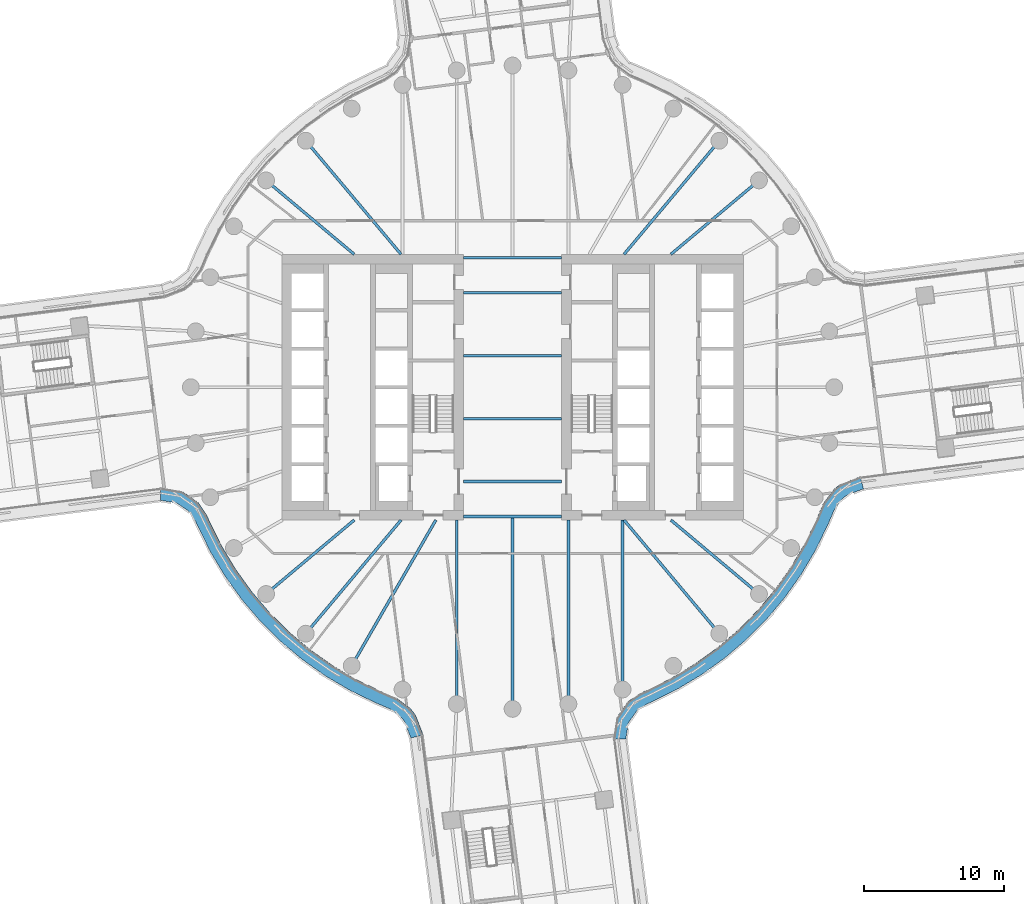
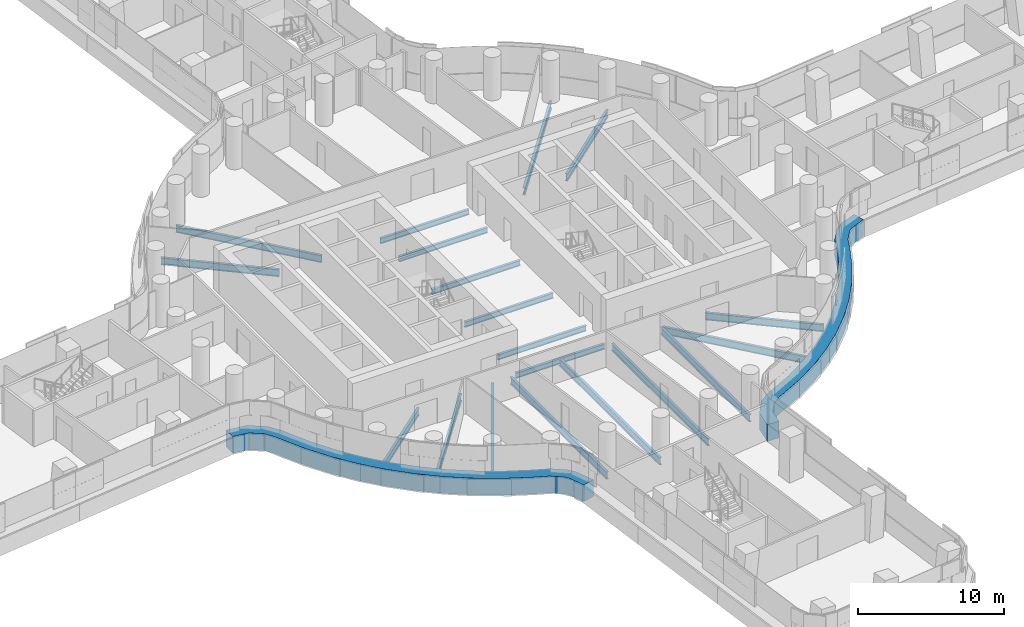
# One storey, part 8 of 31: 19 beams, 2 members, 2 elements without a shape of their own.
"""IFC4 building model written with IfcOpenShell, lengths in metres."""

import ifcopenshell
import ifcopenshell.guid

model = None  # the IFC model being written
_history = None  # IfcOwnerHistory: only IFC2X3 demands one
_inside = {}  # id of a spatial element -> (the spatial element, [elements in it])
_under = {}  # id of a project, library or spatial element -> (it, [spatial elements below it])
_declared = {}  # id of a project -> (the project, [libraries it declares])
_typed = {}  # id of a type object -> (the type object, [elements of that type])
_made_of = {}  # id of a material, layer set ... -> (it, [elements and type objects made of it])


def new_model(schema):
    """Start an empty IFC model of exactly this schema.

    Asked for "IFC4X3", IfcOpenShell would pick the latest addendum, in which some entities
    have other attributes; the version numbers below select the first issue.
    IFC2X3 requires an IfcOwnerHistory on every rooted entity: one is made here for all.
    """
    global model, _history
    if schema == "IFC4X3":
        model = ifcopenshell.file(schema_version=(4, 3, 0, 0))
    else:
        model = ifcopenshell.file(schema=schema)
    _inside.clear()
    _under.clear()
    _declared.clear()
    _typed.clear()
    _made_of.clear()
    _history = None
    if model.schema == "IFC2X3":
        org = make("IfcOrganization", Name="unknown")
        user = make(
            "IfcPersonAndOrganization",
            ThePerson=make("IfcPerson", FamilyName="unknown"),
            TheOrganization=org,
        )
        app = make(
            "IfcApplication",
            ApplicationDeveloper=org,
            Version="unknown",
            ApplicationFullName="unknown",
            ApplicationIdentifier="unknown",
        )
        _history = make(
            "IfcOwnerHistory",
            OwningUser=user,
            OwningApplication=app,
            ChangeAction="ADDED",
            CreationDate=0,
        )
    return model


def make(cls, **values):
    """One entity of the class cls with the attributes given. An attribute that is None is left unset."""
    return model.create_entity(
        cls, **{name: value for name, value in values.items() if value is not None}
    )


def rooted(cls, **values):
    """An entity with a GlobalId (a new one), such as an element, a storey or a relation."""
    return make(cls, GlobalId=ifcopenshell.guid.new(), OwnerHistory=_history, **values)


def si_unit(unit_type, name, prefix=None):
    """IfcSIUnit, for example si_unit("LENGTHUNIT", "METRE", prefix="MILLI")."""
    return make("IfcSIUnit", UnitType=unit_type, Prefix=prefix, Name=name)


def assignment(units):
    """IfcUnitAssignment: the units of a project."""
    return None if units is None else make("IfcUnitAssignment", Units=units)


def point(xyz):
    """IfcCartesianPoint."""
    return None if xyz is None else make("IfcCartesianPoint", Coordinates=xyz)


def direction(xyz):
    """IfcDirection."""
    return None if xyz is None else make("IfcDirection", DirectionRatios=xyz)


def frame(location, z_axis=None, x_axis=None):
    """IfcAxis2Placement3D, a coordinate frame: its origin and axes. An axis left out is left unset."""
    return make(
        "IfcAxis2Placement3D",
        Location=point(location),
        Axis=direction(z_axis),
        RefDirection=direction(x_axis),
    )


def frame_2d(location, x_axis=None):
    """IfcAxis2Placement2D, a coordinate frame in the plane: its origin and x axis."""
    return make(
        "IfcAxis2Placement2D", Location=point(location), RefDirection=direction(x_axis)
    )


def origin():
    """The frame at (0, 0, 0) with its axes left unset."""
    return frame((0.0, 0.0, 0.0))


def origin_2d():
    """The frame at (0, 0) in the plane with its x axis left unset."""
    return frame_2d((0.0, 0.0))


def place(relative_to, where):
    """IfcLocalPlacement: puts the frame where relative to a parent placement (None: the world)."""
    return make(
        "IfcLocalPlacement", PlacementRelTo=relative_to, RelativePlacement=where
    )


def context(
    kind, dimensions, precision=None, world=None, true_north=None, identifier=None
):
    """IfcGeometricRepresentationContext, for example the 3D "Model" context."""
    return make(
        "IfcGeometricRepresentationContext",
        ContextIdentifier=identifier,
        ContextType=kind,
        CoordinateSpaceDimension=dimensions,
        Precision=precision,
        WorldCoordinateSystem=world,
        TrueNorth=true_north,
    )


def subcontext(parent, identifier, kind, view, scale=None):
    """IfcGeometricRepresentationSubContext, for example "Body" below "Model"."""
    return make(
        "IfcGeometricRepresentationSubContext",
        ContextIdentifier=identifier,
        ContextType=kind,
        ParentContext=parent,
        TargetScale=scale,
        TargetView=view,
    )


def project(units=None, contexts=None):
    """IfcProject with its units and contexts."""
    return rooted(
        "IfcProject",
        Name="project",
        RepresentationContexts=contexts,
        UnitsInContext=assignment(units),
    )


def spatial(cls, under=None, at=None, **own):
    """A site, building, storey or space (cls), placed at a placement, below another one or the project."""
    s = rooted(cls, ObjectPlacement=at, **own)
    if under is not None:
        _under.setdefault(under.id(), (under, []))[1].append(s)
    return s


def polyline(points):
    """IfcPolyline through the points."""
    return make("IfcPolyline", Points=[point(p) for p in points])


def profile(cls, at=None, kind="AREA", **sizes):
    """A parametric profile (cls). Its sizes go by their IFC names, for example OverallWidth=200.0."""
    return make(cls, ProfileType=kind, Position=at, **sizes)


def i_section(**sizes):
    """IfcIShapeProfileDef."""
    return profile("IfcIShapeProfileDef", **sizes)


def outline(outer, holes=None, kind="AREA"):
    """IfcArbitraryClosedProfileDef: a profile drawn as a closed curve; with holes, ...WithVoids."""
    if holes is None:
        return make("IfcArbitraryClosedProfileDef", ProfileType=kind, OuterCurve=outer)
    return make(
        "IfcArbitraryProfileDefWithVoids",
        ProfileType=kind,
        OuterCurve=outer,
        InnerCurves=holes,
    )


def extrude(swept, where, along, depth):
    """IfcExtrudedAreaSolid: the profile swept, set in the frame where, extruded along a direction by depth."""
    return make(
        "IfcExtrudedAreaSolid",
        SweptArea=swept,
        Position=where,
        ExtrudedDirection=direction(along),
        Depth=depth,
    )


def shape(context_of_items, identifier, shape_type, items):
    """IfcShapeRepresentation: the items that make up one representation, for example the "Body"."""
    return make(
        "IfcShapeRepresentation",
        ContextOfItems=context_of_items,
        RepresentationIdentifier=identifier,
        RepresentationType=shape_type,
        Items=items,
    )


def material(Name=None, Category=None):
    """IfcMaterial."""
    return make("IfcMaterial", Name=Name, Category=Category)


def layer(
    of_material, thickness, ventilated=None, Name=None, Category=None, Priority=None
):
    """IfcMaterialLayer: one layer of a wall or slab, of a material (None: an air gap)."""
    return make(
        "IfcMaterialLayer",
        Material=of_material,
        LayerThickness=thickness,
        IsVentilated=ventilated,
        Name=Name,
        Category=Category,
        Priority=Priority,
    )


def layer_set(layers, Name=None):
    """IfcMaterialLayerSet."""
    return make("IfcMaterialLayerSet", MaterialLayers=layers, LayerSetName=Name)


def material_profile(
    of_material, cross_section, Name=None, Category=None, Priority=None
):
    """IfcMaterialProfile: a cross section and its material."""
    return make(
        "IfcMaterialProfile",
        Name=Name,
        Material=of_material,
        Profile=cross_section,
        Priority=Priority,
        Category=Category,
    )


def profile_set(profiles, Name=None, composite=None):
    """IfcMaterialProfileSet."""
    return make(
        "IfcMaterialProfileSet",
        Name=Name,
        MaterialProfiles=profiles,
        CompositeProfile=composite,
    )


def made_of(thing, what):
    """Note that an element or type object is made of a material, layer set ...; save() writes the relation."""
    if what is not None:
        _made_of.setdefault(what.id(), (what, []))[1].append(thing)
    return thing


def type_object(cls, material=None, **own):
    """A type object (cls), such as IfcWallType, which elements share."""
    return made_of(rooted(cls, **own), material)


def element(
    cls,
    number,
    at=None,
    inside=None,
    cuts=None,
    type_object=None,
    material=None,
    context=None,
    identifier="Body",
    shape_type=None,
    held_by="IfcProductDefinitionShape",
    body=None,
    shapes=None,
    **own,
):
    """One element of the class cls, such as IfcWall. Its Tag is "e" and its number.

    at: its placement. inside: the storey or other place that contains it. cuts: it is an
    opening in that element (IfcRelVoidsElement). A single representation is given by context,
    identifier, shape_type and body (its items); several are given by shapes. held_by: the class
    of the entity that holds the representations. save() writes the other relations.
    """
    e = rooted(cls, Tag="e%d" % number, ObjectPlacement=at, **own)
    if body is not None:
        shapes = [shape(context, identifier, shape_type, body)]
    if shapes is not None:
        e.Representation = make(held_by, Representations=shapes)
    if inside is not None:
        _inside.setdefault(inside.id(), (inside, []))[1].append(e)
    if cuts is not None:
        rooted(
            "IfcRelVoidsElement", RelatingBuildingElement=cuts, RelatedOpeningElement=e
        )
    if type_object is not None:
        _typed.setdefault(type_object.id(), (type_object, []))[1].append(e)
    return made_of(e, material)


def aggregate(whole, parts):
    """IfcRelAggregates: a whole, such as a stair, and the parts it consists of."""
    return rooted("IfcRelAggregates", RelatingObject=whole, RelatedObjects=parts)


def save(model, path):
    """Write the relations noted so far, then the file.

    IfcRelAggregates (storeys below a building ...), IfcRelContainedInSpatialStructure (elements
    in a storey), IfcRelDefinesByType, IfcRelAssociatesMaterial and IfcRelDeclares: one each for
    every whole, place, type object, material and project.
    """
    for whole, parts in _under.values():
        aggregate(whole, parts)
    for where, things in _inside.values():
        rooted(
            "IfcRelContainedInSpatialStructure",
            RelatedElements=things,
            RelatingStructure=where,
        )
    for kind, things in _typed.values():
        rooted("IfcRelDefinesByType", RelatedObjects=things, RelatingType=kind)
    for what, things in _made_of.values():
        rooted("IfcRelAssociatesMaterial", RelatedObjects=things, RelatingMaterial=what)
    for by, libraries in _declared.values():
        rooted("IfcRelDeclares", RelatingContext=by, RelatedDefinitions=libraries)
    model.write(path)


model = new_model("IFC4")

# Units and contexts
model_context = context("Model", 3, precision=1e-05, world=origin(), true_north=direction((0.0, 1.0)))
body_context = subcontext(model_context, "Body", "Model", "MODEL_VIEW")
ifc_project = project(units=[si_unit("LENGTHUNIT", "METRE"), si_unit("AREAUNIT", "SQUARE_METRE"), si_unit("VOLUMEUNIT", "CUBIC_METRE"), si_unit("PLANEANGLEUNIT", "RADIAN"), si_unit("MASSUNIT", "GRAM", prefix="KILO")], contexts=[model_context])

# Site, building, storey
site_placement = place(None, origin())
site = spatial("IfcSite", under=ifc_project, at=site_placement, CompositionType="ELEMENT")
building_placement = place(site_placement, origin())
building = spatial("IfcBuilding", under=site, at=building_placement, Name="Tamarind Cross Interchange Tower", CompositionType="ELEMENT")
storey_placement = place(building_placement, frame((0.0, 0.0, 60.25)))
storey = spatial("IfcBuildingStorey", under=building, at=storey_placement, Name="L13", CompositionType="ELEMENT", Elevation=60.25)

# Beams
ifc_material_1 = material(Name="Steel Q355B", Category="steel")
ifc_material_profile_1 = material_profile(ifc_material_1, i_section(OverallWidth=0.198974609375, OverallDepth=0.446044921875, WebThickness=0.008056640625, FlangeThickness=0.011962890625, FilletRadius=0.012939453125, at=origin_2d()), Name="HN 446x199x8x12")
ifc_profile_set_1 = profile_set([ifc_material_profile_1], Name="Steel Q355B")
beam_type_1 = type_object("IfcBeamType", Name="Composite beam HN 446x199x8x12 Q355B", PredefinedType="BEAM", material=ifc_profile_set_1)
for number, where, z_axis, x_axis, name in (
    (1, (-3.5, -2.25, -0.363037109375), (1.0, 0.0, 0.0), (0.0, 1.0, 0.0), "Beam G-2.25"),
    (2, (-3.5, -6.75, -0.363037109375), (1.0, 0.0, 0.0), (0.0, 1.0, 0.0), "Beam G-6.75"),
    (3, (-3.5, -9.25, -0.363037109375), (1.0, 0.0, 0.0), (0.0, 1.0, 0.0), "Beam G-9.25"),
    (4, (-3.5, 2.25, -0.363037109375), (1.0, 0.0, 0.0), (0.0, 1.0, 0.0), "Beam G2.25"),
    (5, (-3.5, 6.75, -0.363037109375), (1.0, 0.0, 0.0), (0.0, 1.0, 0.0), "Beam G6.75"),
    (6, (-3.5, 9.25, -0.363037109375), (1.0, 0.0, 0.0), (0.0, 1.0, 0.0), "Beam G9.25"),
):
    element("IfcBeam", number, at=place(storey_placement, frame(where, z_axis=z_axis, x_axis=x_axis)), inside=storey, type_object=beam_type_1, Name=name, PredefinedType="BEAM", context=body_context, shape_type="SweptSolid", body=[
        extrude(i_section(OverallWidth=0.198974609375, OverallDepth=0.446044921875, WebThickness=0.008056640625, FlangeThickness=0.011962890625, FilletRadius=0.012939453125, at=origin_2d()), origin(), (0.0, 0.0, 1.0), 7.0),
    ])
ifc_material_profile_2 = material_profile(ifc_material_1, i_section(OverallWidth=0.198974609375, OverallDepth=0.595947265625, WebThickness=0.010009765625, FlangeThickness=0.014892578125, FilletRadius=0.012939453125, at=origin_2d()), Name="HN 596x199x10x15")
ifc_profile_set_2 = profile_set([ifc_material_profile_2], Name="Steel Q355B")
beam_type_2 = type_object("IfcBeamType", Name="Composite beam HN 596x199x10x15 Q355B", PredefinedType="BEAM", material=ifc_profile_set_2)
beam_1_placement = place(storey_placement, frame((17.619140625, 14.7841796875, -0.43798828125), z_axis=(-0.766040580814, -0.642792212574, 0.0), x_axis=(0.642792212574, -0.766040580814, 0.0)))
element("IfcBeam", 7, at=beam_1_placement, inside=storey, type_object=beam_type_2, Name="Beam HH04", PredefinedType="BEAM", context=body_context, shape_type="SweptSolid", body=[
    extrude(i_section(OverallWidth=0.198974609375, OverallDepth=0.595947265625, WebThickness=0.010009765625, FlangeThickness=0.014892578125, FilletRadius=0.012939453125, at=origin_2d()), origin(), (0.0, 0.0, 1.0), 8.220703125),
])
for number, where, z_axis, x_axis, name in (
    (8, (14.7841796875, 17.619140625, -0.43798828125), (-0.642786293979, -0.766045547127, 0.0), (0.766045547127, -0.642786293979, 0.0), "Beam HH05"),
    (9, (-14.7841796875, 17.619140625, -0.43798828125), (0.642786293979, -0.766045547127, 0.0), (0.766045547127, 0.642786293979, 0.0), "Beam HH13"),
):
    element("IfcBeam", number, at=place(storey_placement, frame(where, z_axis=z_axis, x_axis=x_axis)), inside=storey, type_object=beam_type_2, Name=name, PredefinedType="BEAM", context=body_context, shape_type="SweptSolid", body=[
        extrude(i_section(OverallWidth=0.198974609375, OverallDepth=0.595947265625, WebThickness=0.010009765625, FlangeThickness=0.014892578125, FilletRadius=0.012939453125, at=origin_2d()), origin(), (0.0, 0.0, 1.0), 10.598876953125),
    ])
for number, where, z_axis, x_axis, name in (
    (10, (-17.619140625, 14.7841796875, -0.43798828125), (0.766040580814, -0.642792212574, 0.0), (0.642792212574, 0.766040580814, 0.0), "Beam HH14"),
    (11, (-17.619140625, -14.7841796875, -0.43798828125), (0.766040580814, 0.642792212574, 0.0), (-0.642792212574, 0.766040580814, 0.0), "Beam HH22"),
):
    element("IfcBeam", number, at=place(storey_placement, frame(where, z_axis=z_axis, x_axis=x_axis)), inside=storey, type_object=beam_type_2, Name=name, PredefinedType="BEAM", context=body_context, shape_type="SweptSolid", body=[
        extrude(i_section(OverallWidth=0.198974609375, OverallDepth=0.595947265625, WebThickness=0.010009765625, FlangeThickness=0.014892578125, FilletRadius=0.012939453125, at=origin_2d()), origin(), (0.0, 0.0, 1.0), 8.220703125),
    ])
beam_2_placement = place(storey_placement, frame((-14.7841796875, -17.619140625, -0.43798828125), z_axis=(0.642786293979, 0.766045547127, 0.0), x_axis=(-0.766045547127, 0.642786293979, 0.0)))
element("IfcBeam", 12, at=beam_2_placement, inside=storey, type_object=beam_type_2, Name="Beam HH23", PredefinedType="BEAM", context=body_context, shape_type="SweptSolid", body=[
    extrude(i_section(OverallWidth=0.198974609375, OverallDepth=0.595947265625, WebThickness=0.010009765625, FlangeThickness=0.014892578125, FilletRadius=0.012939453125, at=origin_2d()), origin(), (0.0, 0.0, 1.0), 10.598876953125),
])
beam_3_placement = place(storey_placement, frame((-11.5, -19.918701171875, -0.43798828125), z_axis=(0.499993565836, 0.866029118519, 0.0), x_axis=(-0.866029118519, 0.499993565836, 0.0)))
element("IfcBeam", 13, at=beam_3_placement, inside=storey, type_object=beam_type_2, Name="Beam HH24", PredefinedType="BEAM", context=body_context, shape_type="SweptSolid", body=[
    extrude(i_section(OverallWidth=0.198974609375, OverallDepth=0.595947265625, WebThickness=0.010009765625, FlangeThickness=0.014892578125, FilletRadius=0.012939453125, at=origin_2d()), origin(), (0.0, 0.0, 1.0), 12.030517578125),
])
beam_4_placement = place(storey_placement, frame((-3.993896484375, -22.650634765625, -0.43798828125), z_axis=(0.0, 1.0, 0.0), x_axis=(-1.0, 0.0, 0.0)))
element("IfcBeam", 14, at=beam_4_placement, inside=storey, type_object=beam_type_2, Name="Beam HH26", PredefinedType="BEAM", context=body_context, shape_type="SweptSolid", body=[
    extrude(i_section(OverallWidth=0.198974609375, OverallDepth=0.595947265625, WebThickness=0.010009765625, FlangeThickness=0.014892578125, FilletRadius=0.012939453125, at=origin_2d()), origin(), (0.0, 0.0, 1.0), 13.150634765625),
])
beam_5_placement = place(storey_placement, frame((0.0, -23.0, -0.43798828125), z_axis=(0.0, 1.0, 0.0), x_axis=(-1.0, 0.0, 0.0)))
element("IfcBeam", 15, at=beam_5_placement, inside=storey, type_object=beam_type_2, Name="Beam HH27", PredefinedType="BEAM", context=body_context, shape_type="SweptSolid", body=[
    extrude(i_section(OverallWidth=0.198974609375, OverallDepth=0.595947265625, WebThickness=0.010009765625, FlangeThickness=0.014892578125, FilletRadius=0.012939453125, at=origin_2d()), origin(), (0.0, 0.0, 1.0), 13.75),
])
beam_6_placement = place(storey_placement, frame((3.993896484375, -22.650634765625, -0.43798828125), z_axis=(0.0, 1.0, 0.0), x_axis=(-1.0, 0.0, 0.0)))
element("IfcBeam", 16, at=beam_6_placement, inside=storey, type_object=beam_type_2, Name="Beam HH28", PredefinedType="BEAM", context=body_context, shape_type="SweptSolid", body=[
    extrude(i_section(OverallWidth=0.198974609375, OverallDepth=0.595947265625, WebThickness=0.010009765625, FlangeThickness=0.014892578125, FilletRadius=0.012939453125, at=origin_2d()), origin(), (0.0, 0.0, 1.0), 13.150634765625),
])
beam_7_placement = place(storey_placement, frame((7.866455078125, -21.613037109375, -0.43798828125), z_axis=(0.0, 1.0, 0.0), x_axis=(-1.0, 0.0, 0.0)))
element("IfcBeam", 17, at=beam_7_placement, inside=storey, type_object=beam_type_2, Name="Beam HH29", PredefinedType="BEAM", context=body_context, shape_type="SweptSolid", body=[
    extrude(i_section(OverallWidth=0.198974609375, OverallDepth=0.595947265625, WebThickness=0.010009765625, FlangeThickness=0.014892578125, FilletRadius=0.012939453125, at=origin_2d()), origin(), (0.0, 0.0, 1.0), 12.113037109375),
])
beam_8_placement = place(storey_placement, frame((14.7841796875, -17.619140625, -0.43798828125), z_axis=(-0.642786293979, 0.766045547127, 0.0), x_axis=(-0.766045547127, -0.642786293979, 0.0)))
element("IfcBeam", 18, at=beam_8_placement, inside=storey, type_object=beam_type_2, Name="Beam HH31", PredefinedType="BEAM", context=body_context, shape_type="SweptSolid", body=[
    extrude(i_section(OverallWidth=0.198974609375, OverallDepth=0.595947265625, WebThickness=0.010009765625, FlangeThickness=0.014892578125, FilletRadius=0.012939453125, at=origin_2d()), origin(), (0.0, 0.0, 1.0), 10.598876953125),
])
beam_9_placement = place(storey_placement, frame((17.619140625, -14.7841796875, -0.43798828125), z_axis=(-0.766040580814, 0.642792212574, 0.0), x_axis=(-0.642792212574, -0.766040580814, 0.0)))
element("IfcBeam", 19, at=beam_9_placement, inside=storey, type_object=beam_type_2, Name="Beam HH32", PredefinedType="BEAM", context=body_context, shape_type="SweptSolid", body=[
    extrude(i_section(OverallWidth=0.198974609375, OverallDepth=0.595947265625, WebThickness=0.010009765625, FlangeThickness=0.014892578125, FilletRadius=0.012939453125, at=origin_2d()), origin(), (0.0, 0.0, 1.0), 8.220703125),
])

# Curtain wall, member
ifc_material_2 = material(Name="Aluminium 6063-T6", Category="aluminium")
ifc_layer = layer(ifc_material_2, 0.159912109375)
ifc_layer_set = layer_set([ifc_layer], Name="Aluminium 6063-T6")
curtain_wall_type = type_object("IfcCurtainWallType", Name="Office curtain wall, 9.0 m bays", PredefinedType="NOTDEFINED", material=ifc_layer_set)
curtain_wall_1_placement = place(storey_placement, origin())
curtain_wall_1 = element("IfcCurtainWall", 20, at=curtain_wall_1_placement, inside=storey, type_object=curtain_wall_type, Name="CWS-L13-02", PredefinedType="NOTDEFINED")
ifc_material_3 = material(Name="Aluminium and insulated spandrel panel", Category="aluminium")
member_type = type_object("IfcMemberType", Name="Floor-edge blade transom", PredefinedType="USERDEFINED", material=ifc_material_3)
member_1_placement = place(storey_placement, origin())
member_1 = element("IfcMember", 21, at=member_1_placement, type_object=member_type, Name="CWT-L13-02", ObjectType="TRANSOM", PredefinedType="USERDEFINED", context=body_context, shape_type="SweptSolid", body=[
    extrude(outline(polyline([(-25.14892578125, -7.18359375), (-23.64794921875, -7.42724609375), (-22.4814453125, -8.240478515625), (-21.887451171875, -9.12158203125), (-21.66259765625, -9.603759765625), (-20.791015625, -11.367431640625), (-19.78125, -13.045654296875), (-18.636474609375, -14.634521484375), (-17.3642578125, -16.12353515625), (-15.973388671875, -17.50244140625), (-14.4736328125, -18.76171875), (-12.874755859375, -19.892822265625), (-11.188232421875, -20.88818359375), (-9.420166015625, -21.742919921875), (-8.324462890625, -22.20947265625), (-7.313720703125, -22.9619140625), (-6.941650390625, -23.43798828125), (-6.387451171875, -24.86279296875), (-7.26611328125, -25.08642578125), (-7.732421875, -23.8876953125), (-7.9482421875, -23.611572265625), (-8.77587890625, -22.99560546875), (-9.792724609375, -22.5625), (-11.613525390625, -21.68212890625), (-13.3642578125, -20.64892578125), (-15.023681640625, -19.474853515625), (-16.580810546875, -18.167724609375), (-18.0244140625, -16.736572265625), (-19.344970703125, -15.19091796875), (-20.533203125, -13.54150390625), (-21.581298828125, -11.799560546875), (-22.47412109375, -9.9931640625), (-22.67333984375, -9.56591796875), (-23.1337890625, -8.8828125), (-23.994384765625, -8.28271484375), (-25.16455078125, -8.0927734375), (-25.14892578125, -7.18359375)])), origin(), (0.0, 0.0, 1.0), 1.39990234375),
])
aggregate(curtain_wall_1, [member_1])

curtain_wall_2_placement = place(storey_placement, origin())
curtain_wall_2 = element("IfcCurtainWall", 22, at=curtain_wall_2_placement, inside=storey, type_object=curtain_wall_type, Name="CWS-L13-06", PredefinedType="NOTDEFINED")
member_2_placement = place(storey_placement, origin())
member_2 = element("IfcMember", 23, at=member_2_placement, type_object=member_type, Name="CWT-L13-06", ObjectType="TRANSOM", PredefinedType="USERDEFINED", context=body_context, shape_type="SweptSolid", body=[
    extrude(outline(polyline([(7.18359375, -25.14892578125), (7.42724609375, -23.64794921875), (8.240478515625, -22.4814453125), (9.12158203125, -21.887451171875), (9.603759765625, -21.66259765625), (11.367431640625, -20.791015625), (13.045654296875, -19.78125), (14.634521484375, -18.636474609375), (16.12353515625, -17.3642578125), (17.50244140625, -15.973388671875), (18.76171875, -14.4736328125), (19.892822265625, -12.874755859375), (20.88818359375, -11.188232421875), (21.742919921875, -9.420166015625), (22.20947265625, -8.324462890625), (22.9619140625, -7.313720703125), (23.43798828125, -6.941650390625), (24.86279296875, -6.387451171875), (25.08642578125, -7.26611328125), (23.8876953125, -7.732421875), (23.611572265625, -7.9482421875), (22.99560546875, -8.77587890625), (22.5625, -9.792724609375), (21.68212890625, -11.613525390625), (20.64892578125, -13.3642578125), (19.474853515625, -15.023681640625), (18.167724609375, -16.580810546875), (16.736572265625, -18.0244140625), (15.19091796875, -19.344970703125), (13.54150390625, -20.533203125), (11.799560546875, -21.581298828125), (9.9931640625, -22.47412109375), (9.56591796875, -22.67333984375), (8.8828125, -23.1337890625), (8.28271484375, -23.994384765625), (8.0927734375, -25.16455078125), (7.18359375, -25.14892578125)])), origin(), (0.0, 0.0, 1.0), 1.39990234375),
])
aggregate(curtain_wall_2, [member_2])

save(model, "model.ifc")
